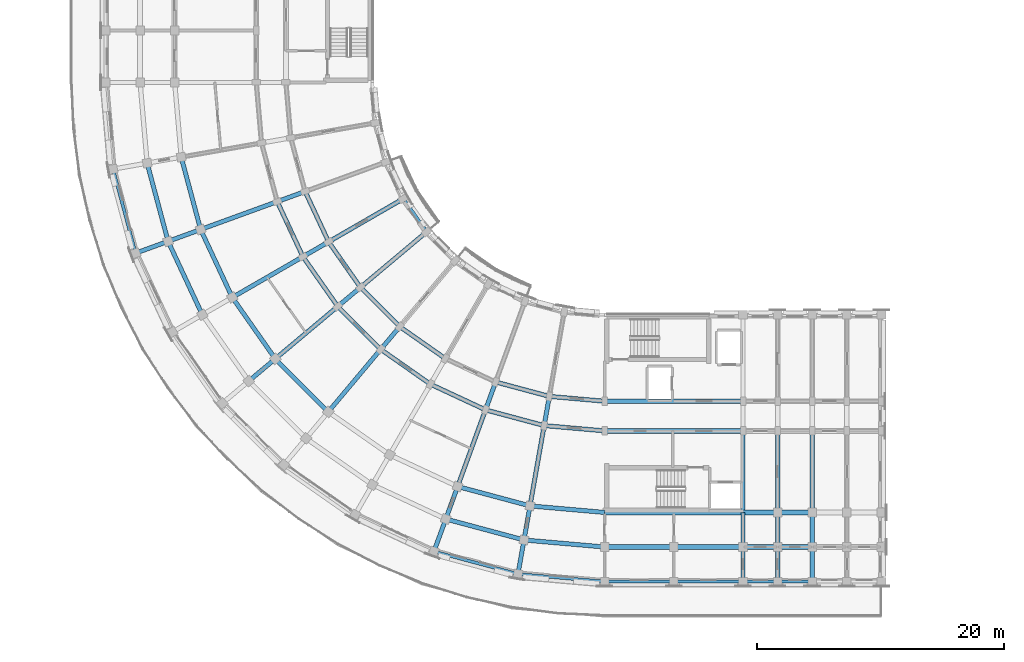
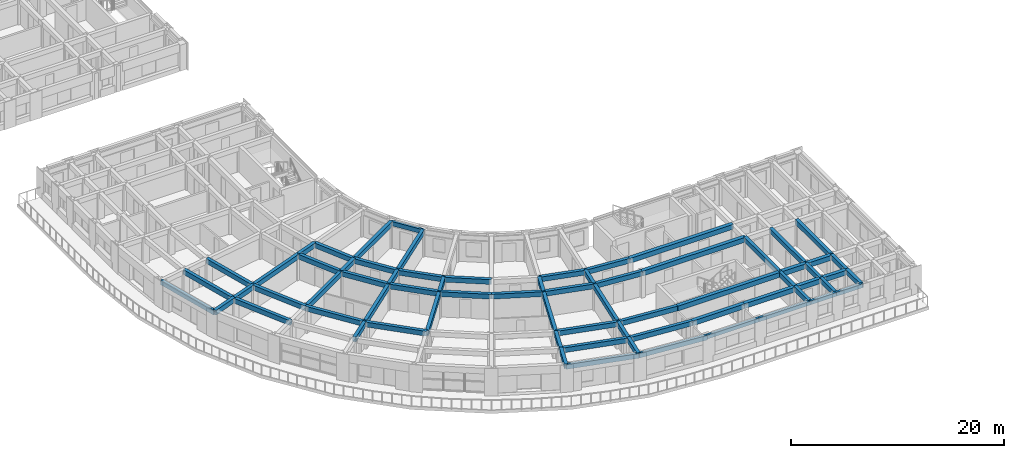
# One storey, part 5 of 57: 70 beams.
"""IFC4 building model written with IfcOpenShell, lengths in metres."""

from ifc_helpers import new_model, si_unit, direction, frame, origin, origin_2d, place, context, subcontext, project, spatial, rectangle, extrude, material, material_profile, profile_set, type_object, element, save


model = new_model("IFC4")

# Units and contexts
model_context = context("Model", 3, precision=1e-05, world=origin(), true_north=direction((0.0, 1.0)))
body_context = subcontext(model_context, "Body", "Model", "MODEL_VIEW")
ifc_project = project(units=[si_unit("LENGTHUNIT", "METRE"), si_unit("AREAUNIT", "SQUARE_METRE"), si_unit("VOLUMEUNIT", "CUBIC_METRE"), si_unit("PLANEANGLEUNIT", "RADIAN"), si_unit("MASSUNIT", "GRAM", prefix="KILO")], contexts=[model_context])

# Site, building, storey
site_placement = place(None, origin())
site = spatial("IfcSite", under=ifc_project, at=site_placement, CompositionType="ELEMENT")
building_placement = place(site_placement, origin())
building = spatial("IfcBuilding", under=site, at=building_placement, Name="Kiranvali Square Residences", CompositionType="ELEMENT")
storey_placement = place(building_placement, frame((0.0, 0.0, 24.449951171875)))
storey = spatial("IfcBuildingStorey", under=building, at=storey_placement, Name="L07", CompositionType="ELEMENT", Elevation=24.449951171875)

# Beams
ifc_material_1 = material(Name="Concrete M40 (40 MPa)", Category="concrete")
ifc_material_profile_1 = material_profile(ifc_material_1, rectangle(XDim=0.35009765625, YDim=0.550048828125, at=origin_2d()), Name="RC 350x550")
ifc_profile_set_1 = profile_set([ifc_material_profile_1], Name="Concrete M40 (40 MPa)")
beam_type_1 = type_object("IfcBeamType", Name="BM-M40-350x550", PredefinedType="BEAM", material=ifc_profile_set_1)
beam_1_placement = place(storey_placement, frame((48.199951171875, 22.39990234375, 2.655029296875), z_axis=(-0.996191949488, 0.087187153726, 0.0), x_axis=(-0.087187153726, -0.996191949488, 0.0)))
element("IfcBeam", 1, at=beam_1_placement, inside=storey, type_object=beam_type_1, Name="L07 beam BM-C-L07-C00-R1", PredefinedType="BEAM", context=body_context, shape_type="SweptSolid", body=[
    extrude(rectangle(XDim=0.35009765625, YDim=0.550048828125, at=origin_2d()), origin(), (0.0, 0.0, 1.0), 4.4970703125),
])
beam_2_placement = place(storey_placement, frame((48.199951171875, 20.0, 2.655029296875), z_axis=(-0.996193663584, 0.087167566415, 0.0), x_axis=(-0.087167566415, -0.996193663584, 0.0)))
element("IfcBeam", 2, at=beam_2_placement, inside=storey, type_object=beam_type_1, Name="L07 beam BM-C-L07-C00-R2", PredefinedType="BEAM", context=body_context, shape_type="SweptSolid", body=[
    extrude(rectangle(XDim=0.35009765625, YDim=0.550048828125, at=origin_2d()), origin(), (0.0, 0.0, 1.0), 4.91552734375),
])
beam_3_placement = place(storey_placement, frame((48.199951171875, 13.39990234375, 2.655029296875), z_axis=(-0.996193018494, 0.087174938512, 0.0), x_axis=(-0.087174938512, -0.996193018494, 0.0)))
element("IfcBeam", 3, at=beam_3_placement, inside=storey, type_object=beam_type_1, Name="L07 beam BM-C-L07-C00-R3", PredefinedType="BEAM", context=body_context, shape_type="SweptSolid", body=[
    extrude(rectangle(XDim=0.35009765625, YDim=0.550048828125, at=origin_2d()), origin(), (0.0, 0.0, 1.0), 6.066162109375),
])
beam_4_placement = place(storey_placement, frame((48.199951171875, 10.60009765625, 2.655029296875), z_axis=(-0.996196991902, 0.0871295204, 0.0), x_axis=(-0.0871295204, -0.996196991902, 0.0)))
element("IfcBeam", 4, at=beam_4_placement, inside=storey, type_object=beam_type_1, Name="L07 beam BM-C-L07-C00-R4", PredefinedType="BEAM", context=body_context, shape_type="SweptSolid", body=[
    extrude(rectangle(XDim=0.35009765625, YDim=0.550048828125, at=origin_2d()), origin(), (0.0, 0.0, 1.0), 6.553955078125),
])
beam_5_placement = place(storey_placement, frame((43.719970703125, 22.7919921875, 2.655029296875), z_axis=(-0.965934240054, 0.258787642463, 0.0), x_axis=(-0.258787642463, -0.965934240054, 0.0)))
element("IfcBeam", 5, at=beam_5_placement, inside=storey, type_object=beam_type_1, Name="L07 beam BM-C-L07-C01-R1", PredefinedType="BEAM", context=body_context, shape_type="SweptSolid", body=[
    extrude(rectangle(XDim=0.35009765625, YDim=0.550048828125, at=origin_2d()), origin(), (0.0, 0.0, 1.0), 4.497314453125),
])
beam_6_placement = place(storey_placement, frame((43.30322265625, 20.428466796875, 2.655029296875), z_axis=(-0.965930095386, 0.258803112091, 0.0), x_axis=(-0.258803112091, -0.965930095386, 0.0)))
element("IfcBeam", 6, at=beam_6_placement, inside=storey, type_object=beam_type_1, Name="L07 beam BM-C-L07-C01-R2", PredefinedType="BEAM", context=body_context, shape_type="SweptSolid", body=[
    extrude(rectangle(XDim=0.35009765625, YDim=0.550048828125, at=origin_2d()), origin(), (0.0, 0.0, 1.0), 4.915771484375),
])
beam_7_placement = place(storey_placement, frame((42.156982421875, 13.9287109375, 2.655029296875), z_axis=(-0.965923618901, 0.258827283048, 0.0), x_axis=(-0.258827283048, -0.965923618901, 0.0)))
element("IfcBeam", 7, at=beam_7_placement, inside=storey, type_object=beam_type_1, Name="L07 beam BM-C-L07-C01-R3", PredefinedType="BEAM", context=body_context, shape_type="SweptSolid", body=[
    extrude(rectangle(XDim=0.35009765625, YDim=0.550048828125, at=origin_2d()), origin(), (0.0, 0.0, 1.0), 6.066162109375),
])
beam_8_placement = place(storey_placement, frame((41.6708984375, 11.171142578125, 2.655029296875), z_axis=(-0.965918287583, 0.258847178297, 0.0), x_axis=(-0.258847178297, -0.965918287583, 0.0)))
element("IfcBeam", 8, at=beam_8_placement, inside=storey, type_object=beam_type_1, Name="L07 beam BM-C-L07-C01-R4", PredefinedType="BEAM", context=body_context, shape_type="SweptSolid", body=[
    extrude(rectangle(XDim=0.35009765625, YDim=0.550048828125, at=origin_2d()), origin(), (0.0, 0.0, 1.0), 6.55419921875),
])
beam_9_placement = place(storey_placement, frame((38.554931640625, 21.70068359375, 2.655029296875), z_axis=(-0.906302381024, 0.422629854778, 0.0), x_axis=(-0.422629854778, -0.906302381024, 0.0)))
element("IfcBeam", 9, at=beam_9_placement, inside=storey, type_object=beam_type_1, Name="L07 beam BM-C-L07-C02-R2", PredefinedType="BEAM", context=body_context, shape_type="SweptSolid", body=[
    extrude(rectangle(XDim=0.35009765625, YDim=0.550048828125, at=origin_2d()), origin(), (0.0, 0.0, 1.0), 4.915283203125),
])
beam_10_placement = place(storey_placement, frame((35.300048828125, 25.8564453125, 2.655029296875), z_axis=(-0.819155404658, 0.573571637217, 0.0), x_axis=(-0.573571637217, -0.819155404658, 0.0)))
element("IfcBeam", 10, at=beam_10_placement, inside=storey, type_object=beam_type_1, Name="L07 beam BM-C-L07-C03-R1", PredefinedType="BEAM", context=body_context, shape_type="SweptSolid", body=[
    extrude(rectangle(XDim=0.35009765625, YDim=0.550048828125, at=origin_2d()), origin(), (0.0, 0.0, 1.0), 4.497314453125),
])
beam_11_placement = place(storey_placement, frame((34.10009765625, 23.778076171875, 2.655029296875), z_axis=(-0.819140911474, 0.573592335331, 0.0), x_axis=(-0.573592335331, -0.819140911474, 0.0)))
element("IfcBeam", 11, at=beam_11_placement, inside=storey, type_object=beam_type_1, Name="L07 beam BM-C-L07-C03-R2", PredefinedType="BEAM", context=body_context, shape_type="SweptSolid", body=[
    extrude(rectangle(XDim=0.35009765625, YDim=0.550048828125, at=origin_2d()), origin(), (0.0, 0.0, 1.0), 4.915771484375),
])
beam_12_placement = place(storey_placement, frame((31.615966796875, 28.43603515625, 2.655029296875), z_axis=(-0.707106781187, 0.707106781187, 0.0), x_axis=(-0.707106781187, -0.707106781187, 0.0)))
element("IfcBeam", 12, at=beam_12_placement, inside=storey, type_object=beam_type_1, Name="L07 beam BM-C-L07-C04-R1", PredefinedType="BEAM", context=body_context, shape_type="SweptSolid", body=[
    extrude(rectangle(XDim=0.35009765625, YDim=0.550048828125, at=origin_2d()), origin(), (0.0, 0.0, 1.0), 4.4970703125),
])
beam_13_placement = place(storey_placement, frame((30.073486328125, 26.59765625, 2.655029296875), z_axis=(-0.707106781187, 0.707106781187, 0.0), x_axis=(-0.707106781187, -0.707106781187, 0.0)))
element("IfcBeam", 13, at=beam_13_placement, inside=storey, type_object=beam_type_1, Name="L07 beam BM-C-L07-C04-R2", PredefinedType="BEAM", context=body_context, shape_type="SweptSolid", body=[
    extrude(rectangle(XDim=0.35009765625, YDim=0.550048828125, at=origin_2d()), origin(), (0.0, 0.0, 1.0), 4.91552734375),
])
beam_14_placement = place(storey_placement, frame((25.8310546875, 21.541748046875, 2.655029296875), z_axis=(-0.707106781187, 0.707106781187, 0.0), x_axis=(-0.707106781187, -0.707106781187, 0.0)))
element("IfcBeam", 14, at=beam_14_placement, inside=storey, type_object=beam_type_1, Name="L07 beam BM-C-L07-C04-R3", PredefinedType="BEAM", context=body_context, shape_type="SweptSolid", body=[
    extrude(rectangle(XDim=0.35009765625, YDim=0.550048828125, at=origin_2d()), origin(), (0.0, 0.0, 1.0), 6.06591796875),
])
beam_15_placement = place(storey_placement, frame((28.43603515625, 31.615966796875, 2.655029296875), z_axis=(-0.573571637217, 0.819155404658, 0.0), x_axis=(-0.819155404658, -0.573571637217, 0.0)))
element("IfcBeam", 15, at=beam_15_placement, inside=storey, type_object=beam_type_1, Name="L07 beam BM-C-L07-C05-R1", PredefinedType="BEAM", context=body_context, shape_type="SweptSolid", body=[
    extrude(rectangle(XDim=0.35009765625, YDim=0.550048828125, at=origin_2d()), origin(), (0.0, 0.0, 1.0), 4.497314453125),
])
beam_16_placement = place(storey_placement, frame((26.59765625, 30.073486328125, 2.655029296875), z_axis=(-0.573592335331, 0.819140911474, 0.0), x_axis=(-0.819140911474, -0.573592335331, 0.0)))
element("IfcBeam", 16, at=beam_16_placement, inside=storey, type_object=beam_type_1, Name="L07 beam BM-C-L07-C05-R2", PredefinedType="BEAM", context=body_context, shape_type="SweptSolid", body=[
    extrude(rectangle(XDim=0.35009765625, YDim=0.550048828125, at=origin_2d()), origin(), (0.0, 0.0, 1.0), 4.915771484375),
])
beam_17_placement = place(storey_placement, frame((21.541748046875, 25.8310546875, 2.655029296875), z_axis=(-0.573594691504, 0.81913926159, 0.0), x_axis=(-0.81913926159, -0.573594691504, 0.0)))
element("IfcBeam", 17, at=beam_17_placement, inside=storey, type_object=beam_type_1, Name="L07 beam BM-C-L07-C05-R3", PredefinedType="BEAM", context=body_context, shape_type="SweptSolid", body=[
    extrude(rectangle(XDim=0.35009765625, YDim=0.550048828125, at=origin_2d()), origin(), (0.0, 0.0, 1.0), 6.066162109375),
])
beam_18_placement = place(storey_placement, frame((25.8564453125, 35.300048828125, 2.655029296875), z_axis=(-0.422617978463, 0.906307919131, 0.0), x_axis=(-0.906307919131, -0.422617978463, 0.0)))
element("IfcBeam", 18, at=beam_18_placement, inside=storey, type_object=beam_type_1, Name="L07 beam BM-C-L07-C06-R1", PredefinedType="BEAM", context=body_context, shape_type="SweptSolid", body=[
    extrude(rectangle(XDim=0.35009765625, YDim=0.550048828125, at=origin_2d()), origin(), (0.0, 0.0, 1.0), 4.497314453125),
])
beam_19_placement = place(storey_placement, frame((23.778076171875, 34.10009765625, 2.655029296875), z_axis=(-0.422629854778, 0.906302381024, 0.0), x_axis=(-0.906302381024, -0.422629854778, 0.0)))
element("IfcBeam", 19, at=beam_19_placement, inside=storey, type_object=beam_type_1, Name="L07 beam BM-C-L07-C06-R2", PredefinedType="BEAM", context=body_context, shape_type="SweptSolid", body=[
    extrude(rectangle(XDim=0.35009765625, YDim=0.550048828125, at=origin_2d()), origin(), (0.0, 0.0, 1.0), 4.915283203125),
])
beam_20_placement = place(storey_placement, frame((18.062255859375, 30.800048828125, 2.655029296875), z_axis=(-0.42260781991, 0.906312656069, 0.0), x_axis=(-0.906312656069, -0.42260781991, 0.0)))
element("IfcBeam", 20, at=beam_20_placement, inside=storey, type_object=beam_type_1, Name="L07 beam BM-C-L07-C06-R3", PredefinedType="BEAM", context=body_context, shape_type="SweptSolid", body=[
    extrude(rectangle(XDim=0.35009765625, YDim=0.550048828125, at=origin_2d()), origin(), (0.0, 0.0, 1.0), 6.06591796875),
])
beam_21_placement = place(storey_placement, frame((15.637451171875, 29.39990234375, 2.655029296875), z_axis=(-0.422595876255, 0.906318225223, 0.0), x_axis=(-0.906318225223, -0.422595876255, 0.0)))
element("IfcBeam", 21, at=beam_21_placement, inside=storey, type_object=beam_type_1, Name="L07 beam BM-C-L07-C06-R4", PredefinedType="BEAM", context=body_context, shape_type="SweptSolid", body=[
    extrude(rectangle(XDim=0.35009765625, YDim=0.550048828125, at=origin_2d()), origin(), (0.0, 0.0, 1.0), 6.55419921875),
])
beam_22_placement = place(storey_placement, frame((15.498779296875, 36.297607421875, 2.655029296875), z_axis=(-0.258827283048, 0.965923618901, 0.0), x_axis=(-0.965923618901, -0.258827283048, 0.0)))
element("IfcBeam", 22, at=beam_22_placement, inside=storey, type_object=beam_type_1, Name="L07 beam BM-C-L07-C07-R3", PredefinedType="BEAM", context=body_context, shape_type="SweptSolid", body=[
    extrude(rectangle(XDim=0.35009765625, YDim=0.550048828125, at=origin_2d()), origin(), (0.0, 0.0, 1.0), 6.066162109375),
])
beam_23_placement = place(storey_placement, frame((12.86767578125, 35.340087890625, 2.655029296875), z_axis=(-0.258847178297, 0.965918287583, 0.0), x_axis=(-0.965918287583, -0.258847178297, 0.0)))
element("IfcBeam", 23, at=beam_23_placement, inside=storey, type_object=beam_type_1, Name="L07 beam BM-C-L07-C07-R4", PredefinedType="BEAM", context=body_context, shape_type="SweptSolid", body=[
    extrude(rectangle(XDim=0.35009765625, YDim=0.550048828125, at=origin_2d()), origin(), (0.0, 0.0, 1.0), 6.55419921875),
])
beam_24_placement = place(storey_placement, frame((43.719970703125, 22.7919921875, 2.655029296875), z_axis=(-0.173646056486, -0.984808127031, 0.0), x_axis=(0.984808127031, -0.173646056486, 0.0)))
element("IfcBeam", 24, at=beam_24_placement, inside=storey, type_object=beam_type_1, Name="L07 beam BM-C-L07-RAD01-12", PredefinedType="BEAM", context=body_context, shape_type="SweptSolid", body=[
    extrude(rectangle(XDim=0.35009765625, YDim=0.550048828125, at=origin_2d()), origin(), (0.0, 0.0, 1.0), 2.39990234375),
])
beam_25_placement = place(storey_placement, frame((43.30322265625, 20.428466796875, 2.655029296875), z_axis=(-0.173671381499, -0.984803661269, 0.0), x_axis=(0.984803661269, -0.173671381499, 0.0)))
element("IfcBeam", 25, at=beam_25_placement, inside=storey, type_object=beam_type_1, Name="L07 beam BM-C-L07-RAD01-23", PredefinedType="BEAM", context=body_context, shape_type="SweptSolid", body=[
    extrude(rectangle(XDim=0.35009765625, YDim=0.550048828125, at=origin_2d()), origin(), (0.0, 0.0, 1.0), 6.60009765625),
])
beam_26_placement = place(storey_placement, frame((42.156982421875, 13.9287109375, 2.655029296875), z_axis=(-0.173596320392, -0.984816895441, 0.0), x_axis=(0.984816895441, -0.173596320392, 0.0)))
element("IfcBeam", 26, at=beam_26_placement, inside=storey, type_object=beam_type_1, Name="L07 beam BM-C-L07-RAD01-34", PredefinedType="BEAM", context=body_context, shape_type="SweptSolid", body=[
    extrude(rectangle(XDim=0.35009765625, YDim=0.550048828125, at=origin_2d()), origin(), (0.0, 0.0, 1.0), 2.800048828125),
])
beam_27_placement = place(storey_placement, frame((41.6708984375, 11.171142578125, 2.695068359375), z_axis=(-0.173695795656, -0.984799355489, 0.0), x_axis=(0.984799355489, -0.173695795656, 0.0)))
element("IfcBeam", 27, at=beam_27_placement, inside=storey, type_object=beam_type_1, Name="L07 beam BM-C-L07-RAD01-45", PredefinedType="BEAM", context=body_context, shape_type="SweptSolid", body=[
    extrude(rectangle(XDim=0.35009765625, YDim=0.550048828125, at=origin_2d()), origin(), (0.0, 0.0, 1.0), 2.7998046875),
])
beam_28_placement = place(storey_placement, frame((39.3759765625, 23.955810546875, 2.655029296875), z_axis=(-0.342110593602, -0.939659694648, 0.0), x_axis=(0.939659694648, -0.342110593602, 0.0)))
element("IfcBeam", 28, at=beam_28_placement, inside=storey, type_object=beam_type_1, Name="L07 beam BM-C-L07-RAD02-12", PredefinedType="BEAM", context=body_context, shape_type="SweptSolid", body=[
    extrude(rectangle(XDim=0.35009765625, YDim=0.550048828125, at=origin_2d()), origin(), (0.0, 0.0, 1.0), 2.39990234375),
])
beam_29_placement = place(storey_placement, frame((38.554931640625, 21.70068359375, 2.655029296875), z_axis=(-0.342022238372, -0.939691858249, 0.0), x_axis=(0.939691858249, -0.342022238372, 0.0)))
element("IfcBeam", 29, at=beam_29_placement, inside=storey, type_object=beam_type_1, Name="L07 beam BM-C-L07-RAD02-23", PredefinedType="BEAM", context=body_context, shape_type="SweptSolid", body=[
    extrude(rectangle(XDim=0.35009765625, YDim=0.550048828125, at=origin_2d()), origin(), (0.0, 0.0, 1.0), 6.599853515625),
])
beam_30_placement = place(storey_placement, frame((36.297607421875, 15.498779296875, 2.655029296875), z_axis=(-0.341981089711, -0.93970683422, 0.0), x_axis=(0.93970683422, -0.341981089711, 0.0)))
element("IfcBeam", 30, at=beam_30_placement, inside=storey, type_object=beam_type_1, Name="L07 beam BM-C-L07-RAD02-34", PredefinedType="BEAM", context=body_context, shape_type="SweptSolid", body=[
    extrude(rectangle(XDim=0.35009765625, YDim=0.550048828125, at=origin_2d()), origin(), (0.0, 0.0, 1.0), 2.7998046875),
])
beam_31_placement = place(storey_placement, frame((35.340087890625, 12.86767578125, 2.695068359375), z_axis=(-0.342030060398, -0.939689011208, 0.0), x_axis=(0.939689011208, -0.342030060398, 0.0)))
element("IfcBeam", 31, at=beam_31_placement, inside=storey, type_object=beam_type_1, Name="L07 beam BM-C-L07-RAD02-45", PredefinedType="BEAM", context=body_context, shape_type="SweptSolid", body=[
    extrude(rectangle(XDim=0.35009765625, YDim=0.550048828125, at=origin_2d()), origin(), (0.0, 0.0, 1.0), 2.80029296875),
])
beam_32_placement = place(storey_placement, frame((31.615966796875, 28.43603515625, 2.655029296875), z_axis=(-0.642762521781, -0.766065493671, 0.0), x_axis=(0.766065493671, -0.642762521781, 0.0)))
element("IfcBeam", 32, at=beam_32_placement, inside=storey, type_object=beam_type_1, Name="L07 beam BM-C-L07-RAD04-12", PredefinedType="BEAM", context=body_context, shape_type="SweptSolid", body=[
    extrude(rectangle(XDim=0.35009765625, YDim=0.550048828125, at=origin_2d()), origin(), (0.0, 0.0, 1.0), 2.399658203125),
])
beam_33_placement = place(storey_placement, frame((30.073486328125, 26.59765625, 2.655029296875), z_axis=(-0.642789470807, -0.766042881449, 0.0), x_axis=(0.766042881449, -0.642789470807, 0.0)))
element("IfcBeam", 33, at=beam_33_placement, inside=storey, type_object=beam_type_1, Name="L07 beam BM-C-L07-RAD04-23", PredefinedType="BEAM", context=body_context, shape_type="SweptSolid", body=[
    extrude(rectangle(XDim=0.35009765625, YDim=0.550048828125, at=origin_2d()), origin(), (0.0, 0.0, 1.0), 6.60009765625),
])
beam_34_placement = place(storey_placement, frame((33.79833984375, 36.115478515625, 2.655029296875), z_axis=(-0.766044173478, -0.642787931032, 0.0), x_axis=(0.642787931032, -0.766044173478, 0.0)))
element("IfcBeam", 34, at=beam_34_placement, inside=storey, type_object=beam_type_1, Name="L07 beam BM-C-L07-RAD05-01", PredefinedType="BEAM", context=body_context, shape_type="SweptSolid", body=[
    extrude(rectangle(XDim=0.35009765625, YDim=0.550048828125, at=origin_2d()), origin(), (0.0, 0.0, 1.0), 7.0),
])
beam_35_placement = place(storey_placement, frame((28.43603515625, 31.615966796875, 2.655029296875), z_axis=(-0.766065493671, -0.642762521781, 0.0), x_axis=(0.642762521781, -0.766065493671, 0.0)))
element("IfcBeam", 35, at=beam_35_placement, inside=storey, type_object=beam_type_1, Name="L07 beam BM-C-L07-RAD05-12", PredefinedType="BEAM", context=body_context, shape_type="SweptSolid", body=[
    extrude(rectangle(XDim=0.35009765625, YDim=0.550048828125, at=origin_2d()), origin(), (0.0, 0.0, 1.0), 2.399658203125),
])
beam_36_placement = place(storey_placement, frame((26.59765625, 30.073486328125, 2.655029296875), z_axis=(-0.766042881449, -0.642789470807, 0.0), x_axis=(0.642789470807, -0.766042881449, 0.0)))
element("IfcBeam", 36, at=beam_36_placement, inside=storey, type_object=beam_type_1, Name="L07 beam BM-C-L07-RAD05-23", PredefinedType="BEAM", context=body_context, shape_type="SweptSolid", body=[
    extrude(rectangle(XDim=0.35009765625, YDim=0.550048828125, at=origin_2d()), origin(), (0.0, 0.0, 1.0), 6.60009765625),
])
beam_37_placement = place(storey_placement, frame((21.541748046875, 25.8310546875, 2.655029296875), z_axis=(-0.766058583359, -0.642770757628, 0.0), x_axis=(0.642770757628, -0.766058583359, 0.0)))
element("IfcBeam", 37, at=beam_37_placement, inside=storey, type_object=beam_type_1, Name="L07 beam BM-C-L07-RAD05-34", PredefinedType="BEAM", context=body_context, shape_type="SweptSolid", body=[
    extrude(rectangle(XDim=0.35009765625, YDim=0.550048828125, at=origin_2d()), origin(), (0.0, 0.0, 1.0), 2.800048828125),
])
beam_38_placement = place(storey_placement, frame((31.918701171875, 38.800048828125, 2.655029296875), z_axis=(-0.866028190633, -0.499995173006, 0.0), x_axis=(0.499995173006, -0.866028190633, 0.0)))
element("IfcBeam", 38, at=beam_38_placement, inside=storey, type_object=beam_type_1, Name="L07 beam BM-C-L07-RAD06-01", PredefinedType="BEAM", context=body_context, shape_type="SweptSolid", body=[
    extrude(rectangle(XDim=0.35009765625, YDim=0.550048828125, at=origin_2d()), origin(), (0.0, 0.0, 1.0), 7.0),
])
beam_39_placement = place(storey_placement, frame((25.8564453125, 35.300048828125, 2.655029296875), z_axis=(-0.866024647952, -0.500001309137, 0.0), x_axis=(0.500001309137, -0.866024647952, 0.0)))
element("IfcBeam", 39, at=beam_39_placement, inside=storey, type_object=beam_type_1, Name="L07 beam BM-C-L07-RAD06-12", PredefinedType="BEAM", context=body_context, shape_type="SweptSolid", body=[
    extrude(rectangle(XDim=0.35009765625, YDim=0.550048828125, at=origin_2d()), origin(), (0.0, 0.0, 1.0), 2.39990234375),
])
beam_40_placement = place(storey_placement, frame((23.778076171875, 34.10009765625, 2.655029296875), z_axis=(-0.866024194504, -0.500002094529, 0.0), x_axis=(0.500002094529, -0.866024194504, 0.0)))
element("IfcBeam", 40, at=beam_40_placement, inside=storey, type_object=beam_type_1, Name="L07 beam BM-C-L07-RAD06-23", PredefinedType="BEAM", context=body_context, shape_type="SweptSolid", body=[
    extrude(rectangle(XDim=0.35009765625, YDim=0.550048828125, at=origin_2d()), origin(), (0.0, 0.0, 1.0), 6.60009765625),
])
beam_41_placement = place(storey_placement, frame((23.955810546875, 39.3759765625, 2.655029296875), z_axis=(-0.939659694648, -0.342110593602, 0.0), x_axis=(0.342110593602, -0.939659694648, 0.0)))
element("IfcBeam", 41, at=beam_41_placement, inside=storey, type_object=beam_type_1, Name="L07 beam BM-C-L07-RAD07-12", PredefinedType="BEAM", context=body_context, shape_type="SweptSolid", body=[
    extrude(rectangle(XDim=0.35009765625, YDim=0.550048828125, at=origin_2d()), origin(), (0.0, 0.0, 1.0), 2.39990234375),
])
beam_42_placement = place(storey_placement, frame((21.70068359375, 38.554931640625, 2.655029296875), z_axis=(-0.939691858249, -0.342022238372, 0.0), x_axis=(0.342022238372, -0.939691858249, 0.0)))
element("IfcBeam", 42, at=beam_42_placement, inside=storey, type_object=beam_type_1, Name="L07 beam BM-C-L07-RAD07-23", PredefinedType="BEAM", context=body_context, shape_type="SweptSolid", body=[
    extrude(rectangle(XDim=0.35009765625, YDim=0.550048828125, at=origin_2d()), origin(), (0.0, 0.0, 1.0), 6.599853515625),
])
beam_43_placement = place(storey_placement, frame((15.498779296875, 36.297607421875, 2.655029296875), z_axis=(-0.93970683422, -0.341981089711, 0.0), x_axis=(0.341981089711, -0.93970683422, 0.0)))
element("IfcBeam", 43, at=beam_43_placement, inside=storey, type_object=beam_type_1, Name="L07 beam BM-C-L07-RAD07-34", PredefinedType="BEAM", context=body_context, shape_type="SweptSolid", body=[
    extrude(rectangle(XDim=0.35009765625, YDim=0.550048828125, at=origin_2d()), origin(), (0.0, 0.0, 1.0), 2.7998046875),
])
beam_44_placement = place(storey_placement, frame((12.86767578125, 35.340087890625, 2.695068359375), z_axis=(-0.939689011208, -0.342030060398, 0.0), x_axis=(0.342030060398, -0.939689011208, 0.0)))
element("IfcBeam", 44, at=beam_44_placement, inside=storey, type_object=beam_type_1, Name="L07 beam BM-C-L07-RAD07-45", PredefinedType="BEAM", context=body_context, shape_type="SweptSolid", body=[
    extrude(rectangle(XDim=0.35009765625, YDim=0.550048828125, at=origin_2d()), origin(), (0.0, 0.0, 1.0), 2.80029296875),
])
beam_45_placement = place(storey_placement, frame((59.39990234375, 20.0, 2.655029296875), z_axis=(0.0, -1.0, 0.0), x_axis=(1.0, 0.0, 0.0)))
element("IfcBeam", 45, at=beam_45_placement, inside=storey, type_object=beam_type_1, Name="L07 beam BM-C-L07-A1T1-23", PredefinedType="BEAM", context=body_context, shape_type="SweptSolid", body=[
    extrude(rectangle(XDim=0.35009765625, YDim=0.550048828125, at=origin_2d()), origin(), (0.0, 0.0, 1.0), 6.60009765625),
])
beam_46_placement = place(storey_placement, frame((59.39990234375, 13.39990234375, 2.655029296875), z_axis=(0.0, -1.0, 0.0), x_axis=(1.0, 0.0, 0.0)))
element("IfcBeam", 46, at=beam_46_placement, inside=storey, type_object=beam_type_1, Name="L07 beam BM-C-L07-A1T1-34", PredefinedType="BEAM", context=body_context, shape_type="SweptSolid", body=[
    extrude(rectangle(XDim=0.35009765625, YDim=0.550048828125, at=origin_2d()), origin(), (0.0, 0.0, 1.0), 2.7998046875),
])
beam_47_placement = place(storey_placement, frame((59.39990234375, 10.60009765625, 2.695068359375), z_axis=(0.0, -1.0, 0.0), x_axis=(1.0, 0.0, 0.0)))
element("IfcBeam", 47, at=beam_47_placement, inside=storey, type_object=beam_type_1, Name="L07 beam BM-C-L07-A1T1-45", PredefinedType="BEAM", context=body_context, shape_type="SweptSolid", body=[
    extrude(rectangle(XDim=0.35009765625, YDim=0.550048828125, at=origin_2d()), origin(), (0.0, 0.0, 1.0), 2.800048828125),
])
beam_48_placement = place(storey_placement, frame((62.199951171875, 20.0, 2.655029296875), z_axis=(0.0, -1.0, 0.0), x_axis=(1.0, 0.0, 0.0)))
element("IfcBeam", 48, at=beam_48_placement, inside=storey, type_object=beam_type_1, Name="L07 beam BM-C-L07-A1T2-23", PredefinedType="BEAM", context=body_context, shape_type="SweptSolid", body=[
    extrude(rectangle(XDim=0.35009765625, YDim=0.550048828125, at=origin_2d()), origin(), (0.0, 0.0, 1.0), 6.60009765625),
])
beam_49_placement = place(storey_placement, frame((62.199951171875, 13.39990234375, 2.655029296875), z_axis=(0.0, -1.0, 0.0), x_axis=(1.0, 0.0, 0.0)))
element("IfcBeam", 49, at=beam_49_placement, inside=storey, type_object=beam_type_1, Name="L07 beam BM-C-L07-A1T2-34", PredefinedType="BEAM", context=body_context, shape_type="SweptSolid", body=[
    extrude(rectangle(XDim=0.35009765625, YDim=0.550048828125, at=origin_2d()), origin(), (0.0, 0.0, 1.0), 2.7998046875),
])
beam_50_placement = place(storey_placement, frame((62.199951171875, 10.60009765625, 2.695068359375), z_axis=(0.0, -1.0, 0.0), x_axis=(1.0, 0.0, 0.0)))
element("IfcBeam", 50, at=beam_50_placement, inside=storey, type_object=beam_type_1, Name="L07 beam BM-C-L07-A1T2-45", PredefinedType="BEAM", context=body_context, shape_type="SweptSolid", body=[
    extrude(rectangle(XDim=0.35009765625, YDim=0.550048828125, at=origin_2d()), origin(), (0.0, 0.0, 1.0), 2.800048828125),
])
beam_51_placement = place(storey_placement, frame((65.0, 20.0, 2.655029296875), z_axis=(0.0, -1.0, 0.0), x_axis=(1.0, 0.0, 0.0)))
element("IfcBeam", 51, at=beam_51_placement, inside=storey, type_object=beam_type_1, Name="L07 beam BM-C-L07-A1T3-23", PredefinedType="BEAM", context=body_context, shape_type="SweptSolid", body=[
    extrude(rectangle(XDim=0.35009765625, YDim=0.550048828125, at=origin_2d()), origin(), (0.0, 0.0, 1.0), 6.60009765625),
])
beam_52_placement = place(storey_placement, frame((65.0, 13.39990234375, 2.655029296875), z_axis=(0.0, -1.0, 0.0), x_axis=(1.0, 0.0, 0.0)))
element("IfcBeam", 52, at=beam_52_placement, inside=storey, type_object=beam_type_1, Name="L07 beam BM-C-L07-A1T3-34", PredefinedType="BEAM", context=body_context, shape_type="SweptSolid", body=[
    extrude(rectangle(XDim=0.35009765625, YDim=0.550048828125, at=origin_2d()), origin(), (0.0, 0.0, 1.0), 2.7998046875),
])
beam_53_placement = place(storey_placement, frame((65.0, 10.60009765625, 2.695068359375), z_axis=(0.0, -1.0, 0.0), x_axis=(1.0, 0.0, 0.0)))
element("IfcBeam", 53, at=beam_53_placement, inside=storey, type_object=beam_type_1, Name="L07 beam BM-C-L07-A1T3-45", PredefinedType="BEAM", context=body_context, shape_type="SweptSolid", body=[
    extrude(rectangle(XDim=0.35009765625, YDim=0.550048828125, at=origin_2d()), origin(), (0.0, 0.0, 1.0), 2.800048828125),
])
ifc_material_2 = material(Name="Concrete M45 (45 MPa)", Category="concrete")
ifc_material_profile_2 = material_profile(ifc_material_2, rectangle(XDim=0.39990234375, YDim=0.550048828125, at=origin_2d()), Name="RC 400x550")
ifc_profile_set_2 = profile_set([ifc_material_profile_2], Name="Concrete M45 (45 MPa)")
beam_type_2 = type_object("IfcBeamType", Name="BM-M45-400x550", PredefinedType="BEAM", material=ifc_profile_set_2)
for number, where, z_axis, x_axis, name in (
    (54, (48.199951171875, 22.39990234375, 2.655029296875), (1.0, 0.0, 0.0), (0.0, 1.0, 0.0), "L07 beam BM-C-L07-A1U0-R1"),
    (55, (48.199951171875, 20.0, 2.655029296875), (1.0, 0.0, 0.0), (0.0, 1.0, 0.0), "L07 beam BM-C-L07-A1U0-R2"),
    (56, (48.199951171875, 13.39990234375, 2.655029296875), (1.0, 0.0, 0.0), (0.0, 1.0, 0.0), "L07 beam BM-C-L07-A1U0-R3"),
):
    element("IfcBeam", number, at=place(storey_placement, frame(where, z_axis=z_axis, x_axis=x_axis)), inside=storey, type_object=beam_type_2, Name=name, PredefinedType="BEAM", context=body_context, shape_type="SweptSolid", body=[
        extrude(rectangle(XDim=0.39990234375, YDim=0.550048828125, at=origin_2d()), origin(), (0.0, 0.0, 1.0), 11.199951171875),
    ])
for number, where, z_axis, x_axis, name in (
    (57, (59.39990234375, 13.39990234375, 2.655029296875), (1.0, 0.0, 0.0), (0.0, 1.0, 0.0), "L07 beam BM-C-L07-A1U1-R3"),
    (58, (62.199951171875, 13.39990234375, 2.655029296875), (1.0, 0.0, 0.0), (0.0, 1.0, 0.0), "L07 beam BM-C-L07-A1U2-R3"),
):
    element("IfcBeam", number, at=place(storey_placement, frame(where, z_axis=z_axis, x_axis=x_axis)), inside=storey, type_object=beam_type_2, Name=name, PredefinedType="BEAM", context=body_context, shape_type="SweptSolid", body=[
        extrude(rectangle(XDim=0.39990234375, YDim=0.550048828125, at=origin_2d()), origin(), (0.0, 0.0, 1.0), 2.800048828125),
    ])
beam_54_placement = place(storey_placement, frame((48.199951171875, 10.60009765625, 2.655029296875), z_axis=(1.0, 0.0, 0.0), x_axis=(0.0, 1.0, 0.0)))
element("IfcBeam", 59, at=beam_54_placement, inside=storey, type_object=beam_type_2, Name="L07 beam BM-C-L07-A1U0-R4", PredefinedType="BEAM", context=body_context, shape_type="SweptSolid", body=[
    extrude(rectangle(XDim=0.39990234375, YDim=0.550048828125, at=origin_2d()), origin(), (0.0, 0.0, 1.0), 5.60009765625),
])
beam_55_placement = place(storey_placement, frame((53.800048828125, 10.60009765625, 2.655029296875), z_axis=(1.0, 0.0, 0.0), x_axis=(0.0, 1.0, 0.0)))
element("IfcBeam", 60, at=beam_55_placement, inside=storey, type_object=beam_type_2, Name="L07 beam BM-C-L07-A1U1-R4", PredefinedType="BEAM", context=body_context, shape_type="SweptSolid", body=[
    extrude(rectangle(XDim=0.39990234375, YDim=0.550048828125, at=origin_2d()), origin(), (0.0, 0.0, 1.0), 5.599853515625),
])
for number, where, z_axis, x_axis, name in (
    (61, (59.39990234375, 10.60009765625, 2.655029296875), (1.0, 0.0, 0.0), (0.0, 1.0, 0.0), "L07 beam BM-C-L07-A1U2-R4"),
    (62, (62.199951171875, 10.60009765625, 2.655029296875), (1.0, 0.0, 0.0), (0.0, 1.0, 0.0), "L07 beam BM-C-L07-A1U3-R4"),
):
    element("IfcBeam", number, at=place(storey_placement, frame(where, z_axis=z_axis, x_axis=x_axis)), inside=storey, type_object=beam_type_2, Name=name, PredefinedType="BEAM", context=body_context, shape_type="SweptSolid", body=[
        extrude(rectangle(XDim=0.39990234375, YDim=0.550048828125, at=origin_2d()), origin(), (0.0, 0.0, 1.0), 2.800048828125),
    ])
ifc_material_profile_3 = material_profile(ifc_material_1, rectangle(XDim=0.25, YDim=0.449951171875, at=origin_2d()), Name="RC 250x450")
ifc_profile_set_3 = profile_set([ifc_material_profile_3], Name="Concrete M40 (40 MPa)")
beam_type_3 = type_object("IfcBeamType", Name="SPN-M40-250x450", PredefinedType="SPANDREL", material=ifc_profile_set_3)
beam_56_placement = place(storey_placement, frame((48.199951171875, 7.800048828125, 2.7451171875), z_axis=(1.0, 0.0, 0.0), x_axis=(0.0, 1.0, 0.0)))
element("IfcBeam", 63, at=beam_56_placement, inside=storey, type_object=beam_type_3, Name="L07 beam BM-C-L07-A1U0-R5", PredefinedType="SPANDREL", context=body_context, shape_type="SweptSolid", body=[
    extrude(rectangle(XDim=0.25, YDim=0.449951171875, at=origin_2d()), origin(), (0.0, 0.0, 1.0), 5.60009765625),
])
beam_57_placement = place(storey_placement, frame((53.800048828125, 7.800048828125, 2.7451171875), z_axis=(1.0, 0.0, 0.0), x_axis=(0.0, 1.0, 0.0)))
element("IfcBeam", 64, at=beam_57_placement, inside=storey, type_object=beam_type_3, Name="L07 beam BM-C-L07-A1U1-R5", PredefinedType="SPANDREL", context=body_context, shape_type="SweptSolid", body=[
    extrude(rectangle(XDim=0.25, YDim=0.449951171875, at=origin_2d()), origin(), (0.0, 0.0, 1.0), 5.599853515625),
])
for number, where, z_axis, x_axis, name in (
    (65, (59.39990234375, 7.800048828125, 2.7451171875), (1.0, 0.0, 0.0), (0.0, 1.0, 0.0), "L07 beam BM-C-L07-A1U2-R5"),
    (66, (62.199951171875, 7.800048828125, 2.7451171875), (1.0, 0.0, 0.0), (0.0, 1.0, 0.0), "L07 beam BM-C-L07-A1U3-R5"),
):
    element("IfcBeam", number, at=place(storey_placement, frame(where, z_axis=z_axis, x_axis=x_axis)), inside=storey, type_object=beam_type_3, Name=name, PredefinedType="SPANDREL", context=body_context, shape_type="SweptSolid", body=[
        extrude(rectangle(XDim=0.25, YDim=0.449951171875, at=origin_2d()), origin(), (0.0, 0.0, 1.0), 2.800048828125),
    ])
ifc_material_profile_4 = material_profile(ifc_material_1, rectangle(XDim=0.25, YDim=0.5, at=origin_2d()), Name="RC 250x500")
ifc_profile_set_4 = profile_set([ifc_material_profile_4], Name="Concrete M40 (40 MPa)")
beam_type_4 = type_object("IfcBeamType", Name="SPN-M40-250x500", PredefinedType="SPANDREL", material=ifc_profile_set_4)
beam_58_placement = place(storey_placement, frame((33.79833984375, 36.115478515625, 2.679931640625), z_axis=(-0.573552337269, 0.81916891812, 0.0), x_axis=(-0.81916891812, -0.573552337269, 0.0)))
element("IfcBeam", 67, at=beam_58_placement, inside=storey, type_object=beam_type_4, Name="L07 beam BM-C-L07-C05-R0", PredefinedType="SPANDREL", context=body_context, shape_type="SweptSolid", body=[
    extrude(rectangle(XDim=0.25, YDim=0.5, at=origin_2d()), origin(), (0.0, 0.0, 1.0), 3.277099609375),
])
ifc_material_profile_5 = material_profile(ifc_material_1, rectangle(XDim=0.25, YDim=0.550048828125, at=origin_2d()), Name="RC 250x550")
ifc_profile_set_5 = profile_set([ifc_material_profile_5], Name="Concrete M40 (40 MPa)")
beam_type_5 = type_object("IfcBeamType", Name="SPN-M40-250x550", PredefinedType="SPANDREL", material=ifc_profile_set_5)
for number, where, z_axis, x_axis, name in (
    (68, (48.199951171875, 7.800048828125, 2.695068359375), (-0.996194658198, 0.087156198737, 0.0), (-0.087156198737, -0.996194658198, 0.0), "L07 beam BM-C-L07-C00-R5"),
    (69, (41.1845703125, 8.413818359375, 2.695068359375), (-0.965931029817, 0.258799624492, 0.0), (-0.258799624492, -0.965931029817, 0.0), "L07 beam BM-C-L07-C01-R5"),
    (70, (10.236328125, 34.38232421875, 2.695068359375), (-0.258799624492, 0.965931029817, 0.0), (-0.965931029817, -0.258799624492, 0.0), "L07 beam BM-C-L07-C07-R5"),
):
    element("IfcBeam", number, at=place(storey_placement, frame(where, z_axis=z_axis, x_axis=x_axis)), inside=storey, type_object=beam_type_5, Name=name, PredefinedType="SPANDREL", context=body_context, shape_type="SweptSolid", body=[
        extrude(rectangle(XDim=0.25, YDim=0.550048828125, at=origin_2d()), origin(), (0.0, 0.0, 1.0), 7.042236328125),
    ])

save(model, "model.ifc")
